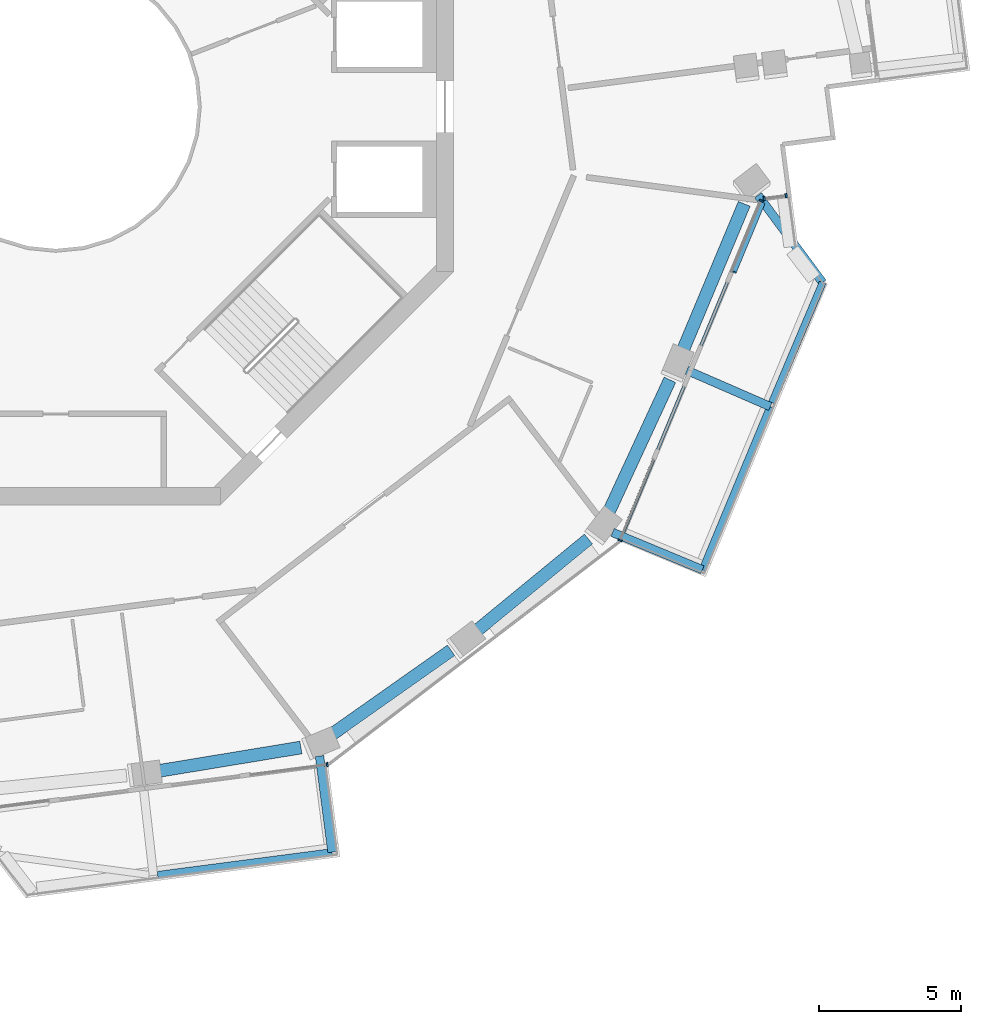
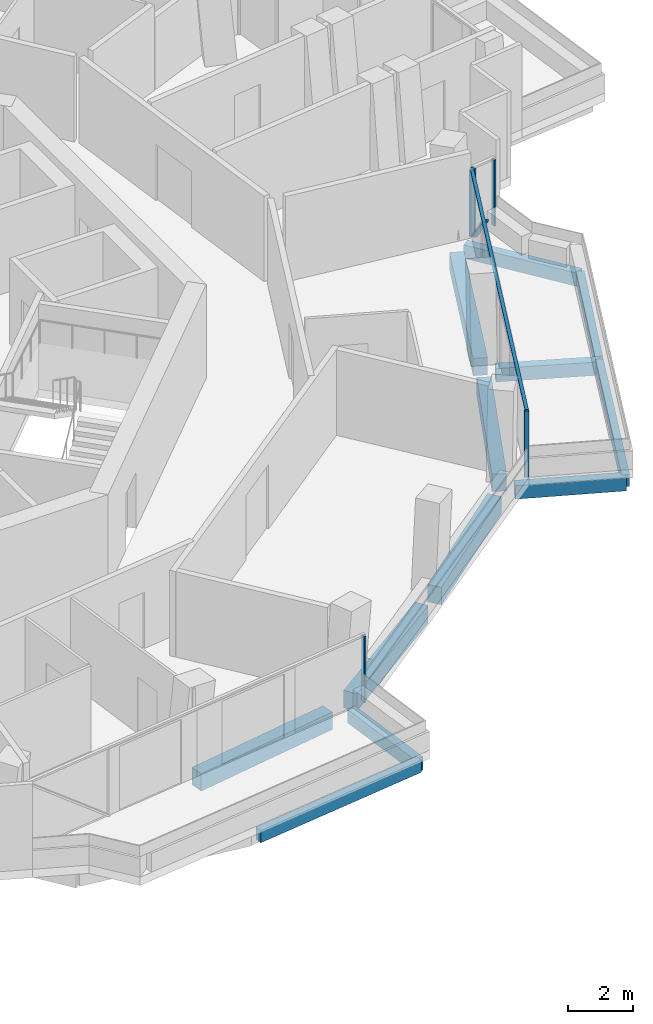
# One storey, part 5 of 25: 12 beams, 7 members, 3 elements without a shape of their own.
"""IFC4 building model written with IfcOpenShell, lengths in metres."""

from ifc_helpers import new_model, si_unit, direction, frame, origin, origin_2d, place, context, subcontext, project, spatial, rectangle, extrude, material, layer, layer_set, material_profile, profile_set, type_object, element, aggregate, save


model = new_model("IFC4")

# Units and contexts
model_context = context("Model", 3, precision=1e-05, world=origin(), true_north=direction((0.0, 1.0)))
body_context = subcontext(model_context, "Body", "Model", "MODEL_VIEW")
ifc_project = project(units=[si_unit("LENGTHUNIT", "METRE"), si_unit("AREAUNIT", "SQUARE_METRE"), si_unit("VOLUMEUNIT", "CUBIC_METRE"), si_unit("PLANEANGLEUNIT", "RADIAN"), si_unit("MASSUNIT", "GRAM", prefix="KILO")], contexts=[model_context])

# Site, building, storey
site_placement = place(None, origin())
site = spatial("IfcSite", under=ifc_project, at=site_placement, CompositionType="ELEMENT")
building_placement = place(site_placement, origin())
building = spatial("IfcBuilding", under=site, at=building_placement, Name="Verdalira Terraces Hotel", CompositionType="ELEMENT")
storey_placement = place(building_placement, frame((0.0, 0.0, 187.0)))
storey = spatial("IfcBuildingStorey", under=building, at=storey_placement, Name="L45", CompositionType="ELEMENT", Elevation=187.0)

# Beams
ifc_material_1 = material(Name="Concrete C40", Category="concrete")
ifc_material_profile_1 = material_profile(ifc_material_1, rectangle(XDim=0.300049, YDim=0.5, at=origin_2d()), Name="RC 300X500")
ifc_profile_set_1 = profile_set([ifc_material_profile_1], Name="Concrete C40")
beam_type_1 = type_object("IfcBeamType", Name="Balcony cantilever beam RC 300X500 C40", PredefinedType="BEAM", material=ifc_profile_set_1)
beam_1_placement = place(storey_placement, frame((9.27832, -22.840576, -0.560059), z_axis=(0.129498409, -0.99157963, 0.0), x_axis=(0.99157963, 0.129498409, 0.0)))
element("IfcBeam", 1, at=beam_1_placement, inside=storey, type_object=beam_type_1, Name="Balcony cantilever beam R24-3", PredefinedType="BEAM", context=body_context, shape_type="SweptSolid", body=[
    extrude(rectangle(XDim=0.300049, YDim=0.5, at=origin_2d()), origin(), (0.0, 0.0, 1.0), 3.408691),
])
beam_2_placement = place(storey_placement, frame((19.589111, -14.973389, -0.560059), z_axis=(0.923477282, -0.38365311, 0.0), x_axis=(0.38365311, 0.923477282, 0.0)))
element("IfcBeam", 2, at=beam_2_placement, inside=storey, type_object=beam_type_1, Name="Balcony cantilever beam R27-1", PredefinedType="BEAM", context=body_context, shape_type="SweptSolid", body=[
    extrude(rectangle(XDim=0.300049, YDim=0.5, at=origin_2d()), origin(), (0.0, 0.0, 1.0), 3.423584),
])
beam_3_placement = place(storey_placement, frame((22.200928, -9.268555, -0.560059), z_axis=(0.916929341, -0.399049602, 0.0), x_axis=(0.399049602, 0.916929341, 0.0)))
element("IfcBeam", 3, at=beam_3_placement, inside=storey, type_object=beam_type_1, Name="Balcony cantilever beam R27-2", PredefinedType="BEAM", context=body_context, shape_type="SweptSolid", body=[
    extrude(rectangle(XDim=0.300049, YDim=0.5, at=origin_2d()), origin(), (0.0, 0.0, 1.0), 3.200928),
])
beam_4_placement = place(storey_placement, frame((24.708008, -3.111816, -0.560059), z_axis=(0.594515051, -0.804084482, 0.0), x_axis=(0.804084482, 0.594515051, 0.0)))
element("IfcBeam", 4, at=beam_4_placement, inside=storey, type_object=beam_type_1, Name="Balcony cantilever beam R27-3", PredefinedType="BEAM", context=body_context, shape_type="SweptSolid", body=[
    extrude(rectangle(XDim=0.300049, YDim=0.5, at=origin_2d()), origin(), (0.0, 0.0, 1.0), 3.819824),
])
ifc_material_2 = material(Name="Concrete C40", Category="concrete")
ifc_material_profile_2 = material_profile(ifc_material_2, rectangle(XDim=0.25, YDim=0.449951, at=origin_2d()), Name="RC 250X450")
ifc_profile_set_2 = profile_set([ifc_material_profile_2], Name="Concrete C40")
beam_type_2 = type_object("IfcBeamType", Name="Balcony edge beam RC 250X450 C40", PredefinedType="BEAM", material=ifc_profile_set_2)
beam_5_placement = place(storey_placement, frame((3.58374, -27.021729, -0.534912), z_axis=(0.99158126, 0.129485923, 0.0), x_axis=(-0.129485923, 0.99158126, 0.0)))
element("IfcBeam", 5, at=beam_5_placement, inside=storey, type_object=beam_type_2, Name="Balcony edge beam R24-2", PredefinedType="BEAM", context=body_context, shape_type="SweptSolid", body=[
    extrude(rectangle(XDim=0.25, YDim=0.449951, at=origin_2d()), origin(), (0.0, 0.0, 1.0), 6.187988),
])
beam_6_placement = place(storey_placement, frame((22.750732, -16.286865, -0.534912), z_axis=(0.383681041, 0.923465678, 0.0), x_axis=(-0.923465678, 0.383681041, 0.0)))
element("IfcBeam", 6, at=beam_6_placement, inside=storey, type_object=beam_type_2, Name="Balcony edge beam R27-1", PredefinedType="BEAM", context=body_context, shape_type="SweptSolid", body=[
    extrude(rectangle(XDim=0.25, YDim=0.449951, at=origin_2d()), origin(), (0.0, 0.0, 1.0), 6.216797),
])
beam_7_placement = place(storey_placement, frame((25.194336, -10.407715, -0.534912), z_axis=(0.389165812, 0.921167721, 0.0), x_axis=(-0.921167721, 0.389165812, 0.0)))
element("IfcBeam", 7, at=beam_7_placement, inside=storey, type_object=beam_type_2, Name="Balcony edge beam R27-2", PredefinedType="BEAM", context=body_context, shape_type="SweptSolid", body=[
    extrude(rectangle(XDim=0.25, YDim=0.449951, at=origin_2d()), origin(), (0.0, 0.0, 1.0), 4.585938),
])

# Curtain wall, member
ifc_material_3 = material(Name="Clear glass", Category="glass")
ifc_layer_1 = layer(ifc_material_3, 0.14990234375)
ifc_layer_set_1 = layer_set([ifc_layer_1], Name="CW1 curtain wall")
curtain_wall_type_1 = type_object("IfcCurtainWallType", Name="CW1 curtain wall", PredefinedType="NOTDEFINED", material=ifc_layer_set_1)
curtain_wall_1_placement = place(storey_placement, origin())
curtain_wall_1 = element("IfcCurtainWall", 8, at=curtain_wall_1_placement, inside=storey, type_object=curtain_wall_type_1, Name="CW1 curtain wall L45 edge 25", PredefinedType="NOTDEFINED")
ifc_material_4 = material(Name="Terracotta frame", Category="masonry")
ifc_material_profile_3 = material_profile(ifc_material_4, rectangle(XDim=0.060059, YDim=0.149902, at=origin_2d()), Name="MU 60x150")
ifc_profile_set_3 = profile_set([ifc_material_profile_3], Name="Terracotta frame")
member_type_1 = type_object("IfcMemberType", Name="CW1 mullion 60x150", PredefinedType="MULLION", material=ifc_profile_set_3)
member_1_placement = place(storey_placement, frame((9.546875, -23.141846, 0.0), z_axis=(0.0, 0.0, 1.0), x_axis=(0.991581004, 0.129487882, 0.0)))
member_1 = element("IfcMember", 9, at=member_1_placement, type_object=member_type_1, Name="CW1 mullion", PredefinedType="MULLION", context=body_context, shape_type="SweptSolid", body=[
    extrude(rectangle(XDim=0.060059, YDim=0.149902, at=origin_2d()), origin(), (0.0, 0.0, 1.0), 2.475098),
])
aggregate(curtain_wall_1, [member_1])

# Curtain wall, members
curtain_wall_2_placement = place(storey_placement, origin())
curtain_wall_2 = element("IfcCurtainWall", 10, at=curtain_wall_2_placement, inside=storey, type_object=curtain_wall_type_1, Name="CW1 curtain wall L45 edge 27", PredefinedType="NOTDEFINED")
member_2_placement = place(storey_placement, frame((19.850586, -15.25293, 0.0), z_axis=(0.0, 0.0, 1.0), x_axis=(0.383650707, 0.923478281, 0.0)))
member_2 = element("IfcMember", 11, at=member_2_placement, type_object=member_type_1, Name="CW1 mullion", PredefinedType="MULLION", context=body_context, shape_type="SweptSolid", body=[
    extrude(rectangle(XDim=0.060059, YDim=0.149902, at=origin_2d()), origin(), (0.0, 0.0, 1.0), 2.475098),
])
member_3_placement = place(storey_placement, frame((24.814941, -3.302979, 0.0), z_axis=(0.0, 0.0, 1.0), x_axis=(0.383650707, 0.923478281, 0.0)))
member_3 = element("IfcMember", 12, at=member_3_placement, type_object=member_type_1, Name="CW1 mullion", PredefinedType="MULLION", context=body_context, shape_type="SweptSolid", body=[
    extrude(rectangle(XDim=0.060059, YDim=0.149902, at=origin_2d()), origin(), (0.0, 0.0, 1.0), 2.475098),
])
ifc_material_5 = material(Name="Terracotta frame", Category="masonry")
ifc_material_profile_4 = material_profile(ifc_material_5, rectangle(XDim=0.110107, YDim=0.064941, at=origin_2d()), Name="TR 65x110")
ifc_profile_set_4 = profile_set([ifc_material_profile_4], Name="Terracotta frame")
member_type_2 = type_object("IfcMemberType", Name="CW1 transom 65x110", PredefinedType="USERDEFINED", material=ifc_profile_set_4)
member_4_placement = place(storey_placement, frame((19.839111, -15.280518, 2.507568), z_axis=(0.383643043, 0.923481465, 0.0), x_axis=(-0.923481465, 0.383643043, 0.0)))
member_4 = element("IfcMember", 13, at=member_4_placement, type_object=member_type_2, Name="CW1 transom", ObjectType="TRANSOM", PredefinedType="USERDEFINED", context=body_context, shape_type="SweptSolid", body=[
    extrude(rectangle(XDim=0.110107, YDim=0.064941, at=origin_2d()), origin(), (0.0, 0.0, 1.0), 12.999756),
])

ifc_material_6 = material(Name="Clear glass", Category="glass")
ifc_layer_2 = layer(ifc_material_6, 0.14990234375)
ifc_layer_set_2 = layer_set([ifc_layer_2], Name="CW2 curtain wall")
curtain_wall_type_2 = type_object("IfcCurtainWallType", Name="CW2 curtain wall", PredefinedType="NOTDEFINED", material=ifc_layer_set_2)
curtain_wall_3_placement = place(storey_placement, origin())
curtain_wall_3 = element("IfcCurtainWall", 14, at=curtain_wall_3_placement, inside=storey, type_object=curtain_wall_type_2, Name="CW2 curtain wall L45 edge 28", PredefinedType="NOTDEFINED")
ifc_material_7 = material(Name="Terracotta frame", Category="masonry")
ifc_material_profile_5 = material_profile(ifc_material_7, rectangle(XDim=0.070068, YDim=0.149902, at=origin_2d()), Name="MU 70x150")
ifc_profile_set_5 = profile_set([ifc_material_profile_5], Name="Terracotta frame")
member_type_3 = type_object("IfcMemberType", Name="CW2 mullion 70x150", PredefinedType="MULLION", material=ifc_profile_set_5)
member_5_placement = place(storey_placement, frame((24.920654, -3.225098, 0.0), z_axis=(0.0, 0.0, 1.0), x_axis=(0.991581004, 0.129487882, 0.0)))
member_5 = element("IfcMember", 15, at=member_5_placement, type_object=member_type_3, Name="CW2 mullion", PredefinedType="MULLION", context=body_context, shape_type="SweptSolid", body=[
    extrude(rectangle(XDim=0.070068, YDim=0.149902, at=origin_2d()), origin(), (0.0, 0.0, 1.0), 2.475098),
])
member_6_placement = place(storey_placement, frame((25.694092, -3.124268, 0.0), z_axis=(0.0, 0.0, 1.0), x_axis=(0.991581004, 0.129487882, 0.0)))
member_6 = element("IfcMember", 16, at=member_6_placement, type_object=member_type_3, Name="CW2 mullion", PredefinedType="MULLION", context=body_context, shape_type="SweptSolid", body=[
    extrude(rectangle(XDim=0.070068, YDim=0.149902, at=origin_2d()), origin(), (0.0, 0.0, 1.0), 2.475098),
])
aggregate(curtain_wall_3, [member_5, member_6])

# Member
ifc_material_8 = material(Name="Terracotta frame", Category="masonry")
ifc_material_profile_6 = material_profile(ifc_material_8, rectangle(XDim=0.149902, YDim=0.060059, at=origin_2d()), Name="GB 60x150")
ifc_profile_set_6 = profile_set([ifc_material_profile_6], Name="Terracotta frame")
member_type_4 = type_object("IfcMemberType", Name="Diagonal glazing bar 60x150", PredefinedType="USERDEFINED", material=ifc_profile_set_6)
member_7_placement = place(storey_placement, frame((23.867676, -5.815186, 2.45166), z_axis=(0.281792597, 0.678280923, -0.678622076), x_axis=(-0.923474944, 0.383658738, 0.0)))
member_7 = element("IfcMember", 17, at=member_7_placement, type_object=member_type_4, Name="Diagonal glazing bar", ObjectType="GLAZING BAR", PredefinedType="USERDEFINED", context=body_context, shape_type="SweptSolid", body=[
    extrude(rectangle(XDim=0.149902, YDim=0.060059, at=origin_2d()), origin(), (0.0, 0.0, 1.0), 3.578125),
])

aggregate(curtain_wall_2, [member_2, member_3, member_4, member_7])

# Beams
ifc_material_9 = material(Name="Concrete C50", Category="concrete")
ifc_material_profile_7 = material_profile(ifc_material_9, rectangle(XDim=0.449951, YDim=0.649902, at=origin_2d()), Name="RC 450X650")
ifc_profile_set_7 = profile_set([ifc_material_profile_7], Name="Concrete C50")
beam_type_3 = type_object("IfcBeamType", Name="Spandrel beam RC 450X650 C50", PredefinedType="SPANDREL", material=ifc_profile_set_7)
beam_8_placement = place(storey_placement, frame((3.504639, -23.383301, -0.63501), z_axis=(0.986678516, 0.162682225, 0.0), x_axis=(-0.162682225, 0.986678516, 0.0)))
element("IfcBeam", 18, at=beam_8_placement, inside=storey, type_object=beam_type_3, Name="Spandrel beam B12", PredefinedType="SPANDREL", context=body_context, shape_type="SweptSolid", body=[
    extrude(rectangle(XDim=0.449951, YDim=0.649902, at=origin_2d()), origin(), (0.0, 0.0, 1.0), 5.189453),
])
beam_9_placement = place(storey_placement, frame((9.664551, -22.111572, -0.63501), z_axis=(0.817449727, 0.575999951, 0.0), x_axis=(-0.575999951, 0.817449727, 0.0)))
element("IfcBeam", 19, at=beam_9_placement, inside=storey, type_object=beam_type_3, Name="Spandrel beam B13", PredefinedType="SPANDREL", context=body_context, shape_type="SweptSolid", body=[
    extrude(rectangle(XDim=0.449951, YDim=0.649902, at=origin_2d()), origin(), (0.0, 0.0, 1.0), 5.192139),
])
beam_10_placement = place(storey_placement, frame((14.726807, -18.498291, -0.63501), z_axis=(0.773126605, 0.634251727, 0.0), x_axis=(-0.634251727, 0.773126605, 0.0)))
element("IfcBeam", 20, at=beam_10_placement, inside=storey, type_object=beam_type_3, Name="Spandrel beam B14", PredefinedType="SPANDREL", context=body_context, shape_type="SweptSolid", body=[
    extrude(rectangle(XDim=0.449951, YDim=0.649902, at=origin_2d()), origin(), (0.0, 0.0, 1.0), 5.189697),
])
beam_11_placement = place(storey_placement, frame((19.425537, -14.316895, -0.63501), z_axis=(0.419943576, 0.907550215, 0.0), x_axis=(-0.907550215, 0.419943576, 0.0)))
element("IfcBeam", 21, at=beam_11_placement, inside=storey, type_object=beam_type_3, Name="Spandrel beam B15", PredefinedType="SPANDREL", context=body_context, shape_type="SweptSolid", body=[
    extrude(rectangle(XDim=0.449951, YDim=0.649902, at=origin_2d()), origin(), (0.0, 0.0, 1.0), 5.192139),
])
beam_12_placement = place(storey_placement, frame((22.015137, -8.676514, -0.63501), z_axis=(0.386455539, 0.922308038, 0.0), x_axis=(-0.922308038, 0.386455539, 0.0)))
element("IfcBeam", 22, at=beam_12_placement, inside=storey, type_object=beam_type_3, Name="Spandrel beam B16", PredefinedType="SPANDREL", context=body_context, shape_type="SweptSolid", body=[
    extrude(rectangle(XDim=0.449951, YDim=0.649902, at=origin_2d()), origin(), (0.0, 0.0, 1.0), 5.706543),
])

save(model, "model.ifc")
